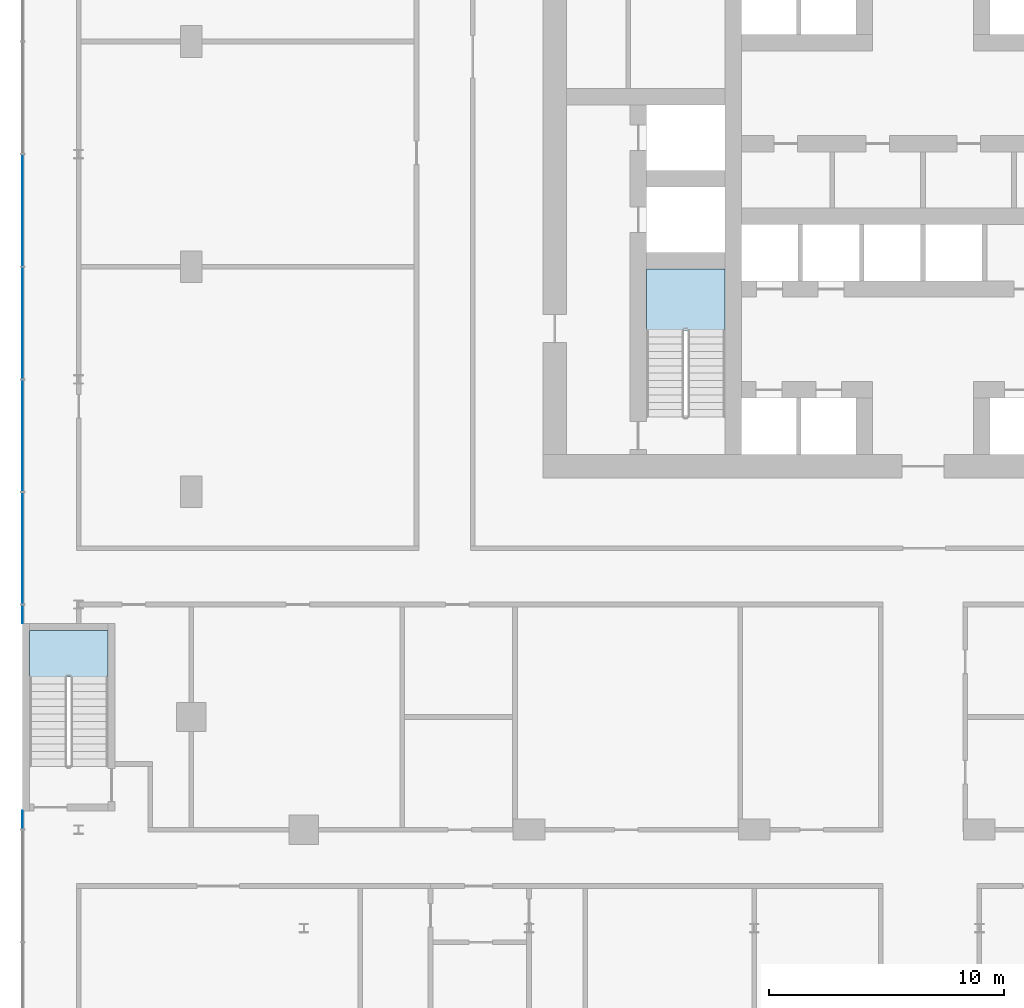
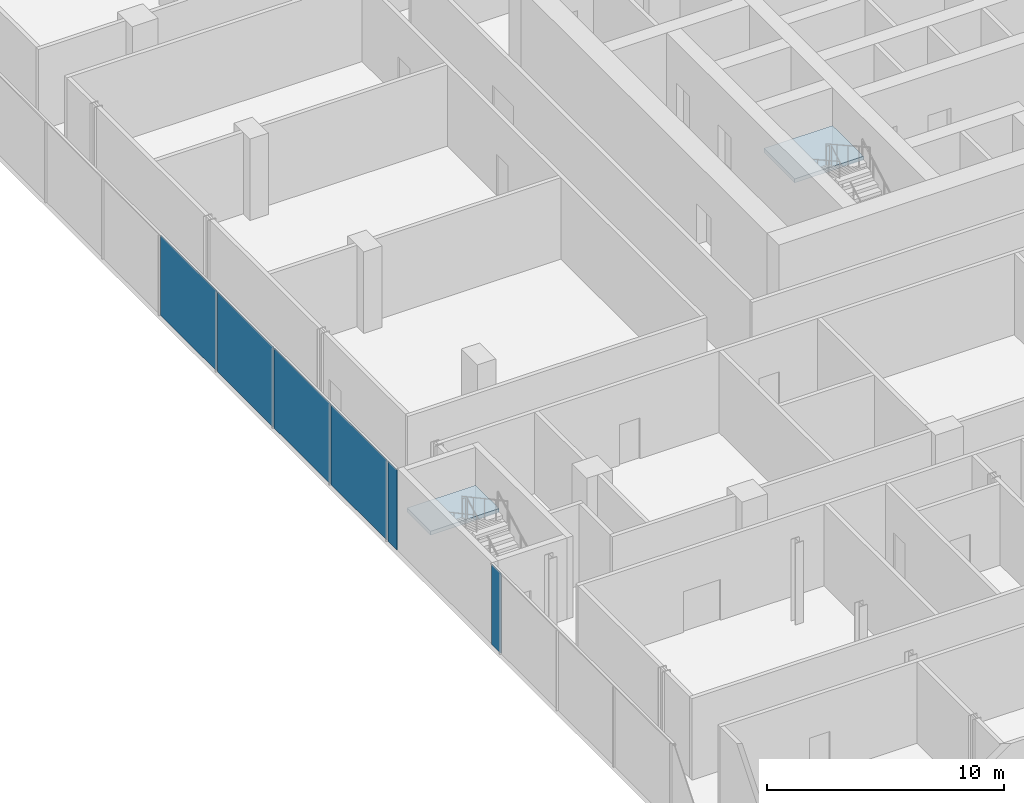
# One storey, part 23 of 43: 6 plates, 2 slabs, 3 elements without a shape of their own.
"""IFC4 building model written with IfcOpenShell, lengths in metres."""

import ifcopenshell
import ifcopenshell.guid

model = None  # the IFC model being written
_history = None  # IfcOwnerHistory: only IFC2X3 demands one
_inside = {}  # id of a spatial element -> (the spatial element, [elements in it])
_under = {}  # id of a project, library or spatial element -> (it, [spatial elements below it])
_declared = {}  # id of a project -> (the project, [libraries it declares])
_typed = {}  # id of a type object -> (the type object, [elements of that type])
_made_of = {}  # id of a material, layer set ... -> (it, [elements and type objects made of it])


def new_model(schema):
    """Start an empty IFC model of exactly this schema.

    Asked for "IFC4X3", IfcOpenShell would pick the latest addendum, in which some entities
    have other attributes; the version numbers below select the first issue.
    IFC2X3 requires an IfcOwnerHistory on every rooted entity: one is made here for all.
    """
    global model, _history
    if schema == "IFC4X3":
        model = ifcopenshell.file(schema_version=(4, 3, 0, 0))
    else:
        model = ifcopenshell.file(schema=schema)
    _inside.clear()
    _under.clear()
    _declared.clear()
    _typed.clear()
    _made_of.clear()
    _history = None
    if model.schema == "IFC2X3":
        org = make("IfcOrganization", Name="unknown")
        user = make(
            "IfcPersonAndOrganization",
            ThePerson=make("IfcPerson", FamilyName="unknown"),
            TheOrganization=org,
        )
        app = make(
            "IfcApplication",
            ApplicationDeveloper=org,
            Version="unknown",
            ApplicationFullName="unknown",
            ApplicationIdentifier="unknown",
        )
        _history = make(
            "IfcOwnerHistory",
            OwningUser=user,
            OwningApplication=app,
            ChangeAction="ADDED",
            CreationDate=0,
        )
    return model


def make(cls, **values):
    """One entity of the class cls with the attributes given. An attribute that is None is left unset."""
    return model.create_entity(
        cls, **{name: value for name, value in values.items() if value is not None}
    )


def rooted(cls, **values):
    """An entity with a GlobalId (a new one), such as an element, a storey or a relation."""
    return make(cls, GlobalId=ifcopenshell.guid.new(), OwnerHistory=_history, **values)


def si_unit(unit_type, name, prefix=None):
    """IfcSIUnit, for example si_unit("LENGTHUNIT", "METRE", prefix="MILLI")."""
    return make("IfcSIUnit", UnitType=unit_type, Prefix=prefix, Name=name)


def assignment(units):
    """IfcUnitAssignment: the units of a project."""
    return None if units is None else make("IfcUnitAssignment", Units=units)


def point(xyz):
    """IfcCartesianPoint."""
    return None if xyz is None else make("IfcCartesianPoint", Coordinates=xyz)


def direction(xyz):
    """IfcDirection."""
    return None if xyz is None else make("IfcDirection", DirectionRatios=xyz)


def frame(location, z_axis=None, x_axis=None):
    """IfcAxis2Placement3D, a coordinate frame: its origin and axes. An axis left out is left unset."""
    return make(
        "IfcAxis2Placement3D",
        Location=point(location),
        Axis=direction(z_axis),
        RefDirection=direction(x_axis),
    )


def frame_2d(location, x_axis=None):
    """IfcAxis2Placement2D, a coordinate frame in the plane: its origin and x axis."""
    return make(
        "IfcAxis2Placement2D", Location=point(location), RefDirection=direction(x_axis)
    )


def origin():
    """The frame at (0, 0, 0) with its axes left unset."""
    return frame((0.0, 0.0, 0.0))


def origin_2d():
    """The frame at (0, 0) in the plane with its x axis left unset."""
    return frame_2d((0.0, 0.0))


def place(relative_to, where):
    """IfcLocalPlacement: puts the frame where relative to a parent placement (None: the world)."""
    return make(
        "IfcLocalPlacement", PlacementRelTo=relative_to, RelativePlacement=where
    )


def context(
    kind, dimensions, precision=None, world=None, true_north=None, identifier=None
):
    """IfcGeometricRepresentationContext, for example the 3D "Model" context."""
    return make(
        "IfcGeometricRepresentationContext",
        ContextIdentifier=identifier,
        ContextType=kind,
        CoordinateSpaceDimension=dimensions,
        Precision=precision,
        WorldCoordinateSystem=world,
        TrueNorth=true_north,
    )


def subcontext(parent, identifier, kind, view, scale=None):
    """IfcGeometricRepresentationSubContext, for example "Body" below "Model"."""
    return make(
        "IfcGeometricRepresentationSubContext",
        ContextIdentifier=identifier,
        ContextType=kind,
        ParentContext=parent,
        TargetScale=scale,
        TargetView=view,
    )


def project(units=None, contexts=None):
    """IfcProject with its units and contexts."""
    return rooted(
        "IfcProject",
        Name="project",
        RepresentationContexts=contexts,
        UnitsInContext=assignment(units),
    )


def spatial(cls, under=None, at=None, **own):
    """A site, building, storey or space (cls), placed at a placement, below another one or the project."""
    s = rooted(cls, ObjectPlacement=at, **own)
    if under is not None:
        _under.setdefault(under.id(), (under, []))[1].append(s)
    return s


def polyline(points):
    """IfcPolyline through the points."""
    return make("IfcPolyline", Points=[point(p) for p in points])


def profile(cls, at=None, kind="AREA", **sizes):
    """A parametric profile (cls). Its sizes go by their IFC names, for example OverallWidth=200.0."""
    return make(cls, ProfileType=kind, Position=at, **sizes)


def rectangle(**sizes):
    """IfcRectangleProfileDef."""
    return profile("IfcRectangleProfileDef", **sizes)


def outline(outer, holes=None, kind="AREA"):
    """IfcArbitraryClosedProfileDef: a profile drawn as a closed curve; with holes, ...WithVoids."""
    if holes is None:
        return make("IfcArbitraryClosedProfileDef", ProfileType=kind, OuterCurve=outer)
    return make(
        "IfcArbitraryProfileDefWithVoids",
        ProfileType=kind,
        OuterCurve=outer,
        InnerCurves=holes,
    )


def extrude(swept, where, along, depth):
    """IfcExtrudedAreaSolid: the profile swept, set in the frame where, extruded along a direction by depth."""
    return make(
        "IfcExtrudedAreaSolid",
        SweptArea=swept,
        Position=where,
        ExtrudedDirection=direction(along),
        Depth=depth,
    )


def shape(context_of_items, identifier, shape_type, items):
    """IfcShapeRepresentation: the items that make up one representation, for example the "Body"."""
    return make(
        "IfcShapeRepresentation",
        ContextOfItems=context_of_items,
        RepresentationIdentifier=identifier,
        RepresentationType=shape_type,
        Items=items,
    )


def material(Name=None, Category=None):
    """IfcMaterial."""
    return make("IfcMaterial", Name=Name, Category=Category)


def layer(
    of_material, thickness, ventilated=None, Name=None, Category=None, Priority=None
):
    """IfcMaterialLayer: one layer of a wall or slab, of a material (None: an air gap)."""
    return make(
        "IfcMaterialLayer",
        Material=of_material,
        LayerThickness=thickness,
        IsVentilated=ventilated,
        Name=Name,
        Category=Category,
        Priority=Priority,
    )


def layer_set(layers, Name=None):
    """IfcMaterialLayerSet."""
    return make("IfcMaterialLayerSet", MaterialLayers=layers, LayerSetName=Name)


def made_of(thing, what):
    """Note that an element or type object is made of a material, layer set ...; save() writes the relation."""
    if what is not None:
        _made_of.setdefault(what.id(), (what, []))[1].append(thing)
    return thing


def type_object(cls, material=None, **own):
    """A type object (cls), such as IfcWallType, which elements share."""
    return made_of(rooted(cls, **own), material)


def element(
    cls,
    number,
    at=None,
    inside=None,
    cuts=None,
    type_object=None,
    material=None,
    context=None,
    identifier="Body",
    shape_type=None,
    held_by="IfcProductDefinitionShape",
    body=None,
    shapes=None,
    **own,
):
    """One element of the class cls, such as IfcWall. Its Tag is "e" and its number.

    at: its placement. inside: the storey or other place that contains it. cuts: it is an
    opening in that element (IfcRelVoidsElement). A single representation is given by context,
    identifier, shape_type and body (its items); several are given by shapes. held_by: the class
    of the entity that holds the representations. save() writes the other relations.
    """
    e = rooted(cls, Tag="e%d" % number, ObjectPlacement=at, **own)
    if body is not None:
        shapes = [shape(context, identifier, shape_type, body)]
    if shapes is not None:
        e.Representation = make(held_by, Representations=shapes)
    if inside is not None:
        _inside.setdefault(inside.id(), (inside, []))[1].append(e)
    if cuts is not None:
        rooted(
            "IfcRelVoidsElement", RelatingBuildingElement=cuts, RelatedOpeningElement=e
        )
    if type_object is not None:
        _typed.setdefault(type_object.id(), (type_object, []))[1].append(e)
    return made_of(e, material)


def aggregate(whole, parts):
    """IfcRelAggregates: a whole, such as a stair, and the parts it consists of."""
    return rooted("IfcRelAggregates", RelatingObject=whole, RelatedObjects=parts)


def save(model, path):
    """Write the relations noted so far, then the file.

    IfcRelAggregates (storeys below a building ...), IfcRelContainedInSpatialStructure (elements
    in a storey), IfcRelDefinesByType, IfcRelAssociatesMaterial and IfcRelDeclares: one each for
    every whole, place, type object, material and project.
    """
    for whole, parts in _under.values():
        aggregate(whole, parts)
    for where, things in _inside.values():
        rooted(
            "IfcRelContainedInSpatialStructure",
            RelatedElements=things,
            RelatingStructure=where,
        )
    for kind, things in _typed.values():
        rooted("IfcRelDefinesByType", RelatedObjects=things, RelatingType=kind)
    for what, things in _made_of.values():
        rooted("IfcRelAssociatesMaterial", RelatedObjects=things, RelatingMaterial=what)
    for by, libraries in _declared.values():
        rooted("IfcRelDeclares", RelatingContext=by, RelatedDefinitions=libraries)
    model.write(path)


model = new_model("IFC4")

# Units and contexts
model_context = context("Model", 3, precision=1e-05, world=origin(), true_north=direction((0.0, 1.0)))
body_context = subcontext(model_context, "Body", "Model", "MODEL_VIEW")
ifc_project = project(units=[si_unit("LENGTHUNIT", "METRE"), si_unit("AREAUNIT", "SQUARE_METRE"), si_unit("VOLUMEUNIT", "CUBIC_METRE"), si_unit("PLANEANGLEUNIT", "RADIAN"), si_unit("MASSUNIT", "GRAM", prefix="KILO")], contexts=[model_context])

# Site, building, storey
site_placement = place(None, origin())
site = spatial("IfcSite", under=ifc_project, at=site_placement, CompositionType="ELEMENT")
building_placement = place(site_placement, origin())
building = spatial("IfcBuilding", under=site, at=building_placement, Name="Madar Terraces", CompositionType="ELEMENT")
storey_placement = place(building_placement, frame((0.0, 0.0, 10.5)))
storey = spatial("IfcBuildingStorey", under=building, at=storey_placement, Name="L02", CompositionType="ELEMENT", Elevation=10.5)

# Curtain wall, plates
ifc_material_1 = material(Name="Glass, clear low-iron, with black aluminium frame", Category="aluminium")
ifc_layer_1 = layer(ifc_material_1, 0.199951171875)
ifc_layer_set_1 = layer_set([ifc_layer_1], Name="Facade curtain wall, shopfront glazing")
curtain_wall_type = type_object("IfcCurtainWallType", Name="Facade curtain wall, shopfront glazing", PredefinedType="NOTDEFINED", material=ifc_layer_set_1)
curtain_wall_placement = place(storey_placement, origin())
curtain_wall = element("IfcCurtainWall", 1, at=curtain_wall_placement, inside=storey, type_object=curtain_wall_type, Name="Outer skin curtain wall west bay 1", PredefinedType="NOTDEFINED")
ifc_material_2 = material(Name="Glass, ceramic frit dark grey", Category="glass")
ifc_layer_2 = layer(ifc_material_2, 0.028076171875)
ifc_layer_set_2 = layer_set([ifc_layer_2], Name="Facade glass panel 28")
plate_type = type_object("IfcPlateType", Name="Facade glass panel 28", PredefinedType="CURTAIN_PANEL", material=ifc_layer_set_2)
plate_1_placement = place(storey_placement, frame((-7.199951171875, 26.39990234375, 0.0), z_axis=(0.0, 0.0, 1.0), x_axis=(0.0, -1.0, 0.0)))
plate_1 = element("IfcPlate", 2, at=plate_1_placement, type_object=plate_type, Name="Panel 6", PredefinedType="CURTAIN_PANEL", context=body_context, shape_type="SweptSolid", body=[
    extrude(rectangle(XDim=4.739990234375, YDim=0.028076171875, at=origin_2d()), origin(), (0.0, 0.0, 1.0), 4.139892578125),
])
plate_2_placement = place(storey_placement, frame((-7.199951171875, 21.60009765625, 0.0), z_axis=(0.0, 0.0, 1.0), x_axis=(0.0, -1.0, 0.0)))
plate_2 = element("IfcPlate", 3, at=plate_2_placement, type_object=plate_type, Name="Panel 7", PredefinedType="CURTAIN_PANEL", context=body_context, shape_type="SweptSolid", body=[
    extrude(rectangle(XDim=4.739990234375, YDim=0.028076171875, at=origin_2d()), origin(), (0.0, 0.0, 1.0), 4.139892578125),
])
plate_3_placement = place(storey_placement, frame((-7.199951171875, 16.800048828125, 0.0), z_axis=(0.0, 0.0, 1.0), x_axis=(0.0, -1.0, 0.0)))
plate_3 = element("IfcPlate", 4, at=plate_3_placement, type_object=plate_type, Name="Panel 8", PredefinedType="CURTAIN_PANEL", context=body_context, shape_type="SweptSolid", body=[
    extrude(rectangle(XDim=4.739990234375, YDim=0.028076171875, at=origin_2d()), origin(), (0.0, 0.0, 1.0), 4.139892578125),
])
plate_4_placement = place(storey_placement, frame((-7.199951171875, 12.0, 0.0), z_axis=(0.0, 0.0, 1.0), x_axis=(0.0, -1.0, 0.0)))
plate_4 = element("IfcPlate", 5, at=plate_4_placement, type_object=plate_type, Name="Panel 9", PredefinedType="CURTAIN_PANEL", context=body_context, shape_type="SweptSolid", body=[
    extrude(rectangle(XDim=4.739990234375, YDim=0.028076171875, at=origin_2d()), origin(), (0.0, 0.0, 1.0), 4.139892578125),
])
plate_5_placement = place(storey_placement, frame((-7.199951171875, 9.18505859375, 0.0), z_axis=(0.0, 0.0, 1.0), x_axis=(0.0, -1.0, 0.0)))
plate_5 = element("IfcPlate", 6, at=plate_5_placement, type_object=plate_type, Name="Panel 10", PredefinedType="CURTAIN_PANEL", context=body_context, shape_type="SweptSolid", body=[
    extrude(rectangle(XDim=0.77001953125, YDim=0.028076171875, at=origin_2d()), origin(), (0.0, 0.0, 1.0), 4.139892578125),
])
plate_6_placement = place(storey_placement, frame((-7.199951171875, 0.4150390625, 0.0), z_axis=(0.0, 0.0, 1.0), x_axis=(0.0, -1.0, 0.0)))
plate_6 = element("IfcPlate", 7, at=plate_6_placement, type_object=plate_type, Name="Panel 11", PredefinedType="CURTAIN_PANEL", context=body_context, shape_type="SweptSolid", body=[
    extrude(rectangle(XDim=0.77001953125, YDim=0.028076171875, at=origin_2d()), origin(), (0.0, 0.0, 1.0), 4.139892578125),
])
aggregate(curtain_wall, [plate_1, plate_2, plate_3, plate_4, plate_5, plate_6])

# Stair, slab
ifc_material_3 = material(Name="Concrete C50/60", Category="concrete")
stair_type_1 = type_object("IfcStairType", Name="Stair ST1 protected exit", PredefinedType="HALF_TURN_STAIR", material=ifc_material_3)
stair_1_placement = place(storey_placement, origin())
stair_1 = element("IfcStair", 8, at=stair_1_placement, inside=storey, type_object=stair_type_1, Name="L02 Protected Exit Stair ST1", PredefinedType="HALF_TURN_STAIR")
ifc_material_4 = material(Name="Concrete C50/60", Category="concrete")
ifc_layer_3 = layer(ifc_material_4, 0.199951171875)
ifc_layer_set_3 = layer_set([ifc_layer_3], Name="Stair landing 200, top +2.25")
slab_type = type_object("IfcSlabType", Name="Stair landing 200, top +2.25", PredefinedType="LANDING", material=ifc_layer_set_3)
slab_1_placement = place(storey_placement, frame((0.0, 0.0, 2.050048828125)))
slab_1 = element("IfcSlab", 9, at=slab_1_placement, type_object=slab_type, Name="ST1 landing 1", PredefinedType="LANDING", context=body_context, shape_type="SweptSolid", body=[
    extrude(outline(polyline([(19.39990234375, 21.2900390625), (22.75, 21.2900390625), (22.75, 23.89990234375), (19.39990234375, 23.89990234375), (19.39990234375, 21.2900390625)])), origin(), (0.0, 0.0, 1.0), 0.199951171875),
])
aggregate(stair_1, [slab_1])

ifc_material_5 = material(Name="Concrete C50/60", Category="concrete")
stair_type_2 = type_object("IfcStairType", Name="Stair PS1 protected exit", PredefinedType="HALF_TURN_STAIR", material=ifc_material_5)
stair_2_placement = place(storey_placement, origin())
stair_2 = element("IfcStair", 10, at=stair_2_placement, inside=storey, type_object=stair_type_2, Name="L02 Protected Exit Stair PS1", PredefinedType="HALF_TURN_STAIR")
slab_2_placement = place(storey_placement, frame((0.0, 0.0, 2.050048828125)))
slab_2 = element("IfcSlab", 11, at=slab_2_placement, type_object=slab_type, Name="PS1 landing 1", PredefinedType="LANDING", context=body_context, shape_type="SweptSolid", body=[
    extrude(outline(polyline([(-6.89990234375, 6.510009765625), (-3.550048828125, 6.510009765625), (-3.550048828125, 8.5), (-6.89990234375, 8.5), (-6.89990234375, 6.510009765625)])), origin(), (0.0, 0.0, 1.0), 0.199951171875),
])
aggregate(stair_2, [slab_2])

save(model, "model.ifc")
